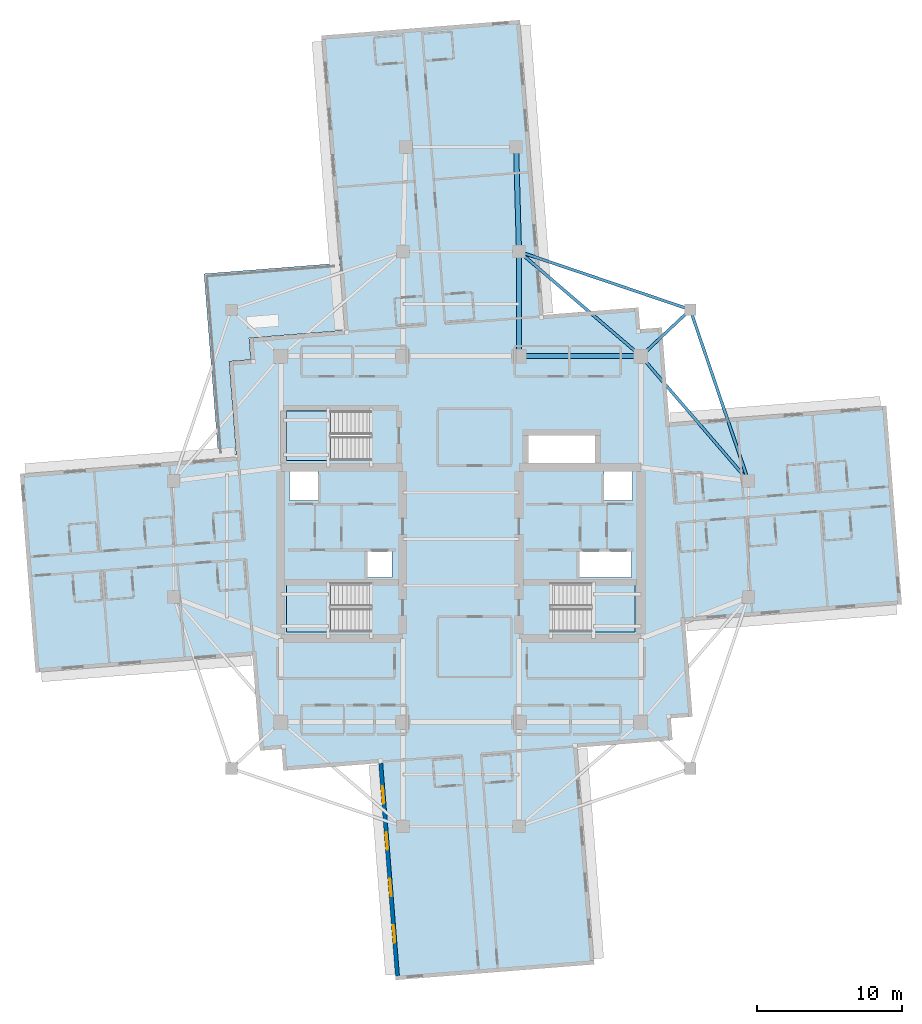
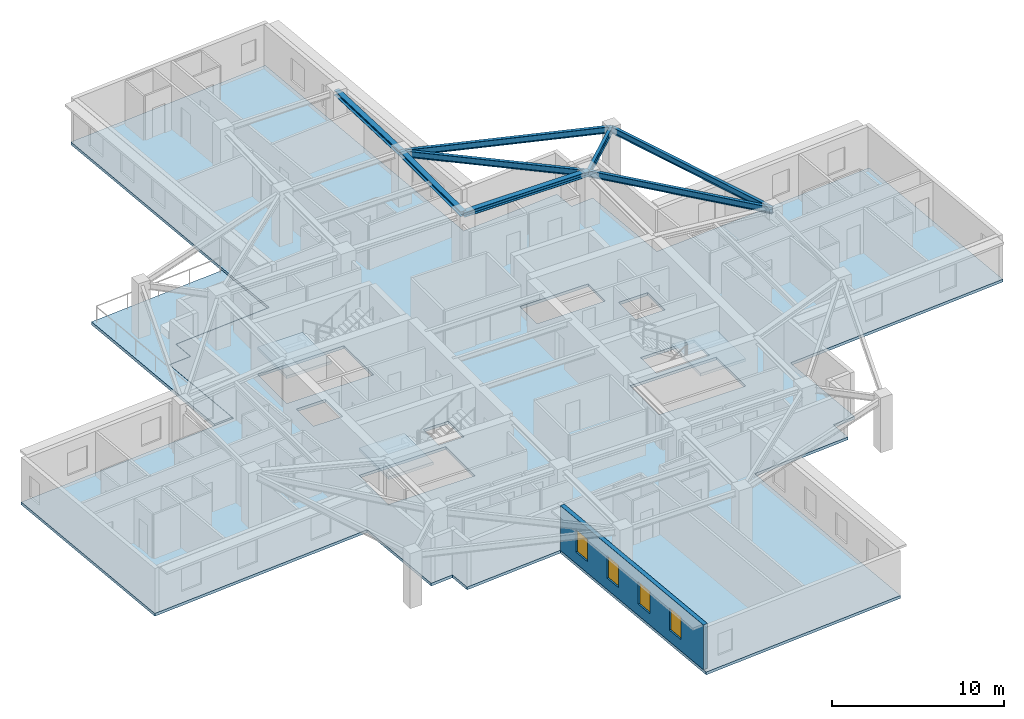
# One storey, part 2 of 13: 8 beams, 5 slabs, 4 windows, 1 wall, 4 openings, 3 elements without a shape of their own.
"""IFC4 building model written with IfcOpenShell, lengths in metres."""

from ifc_helpers import new_model, si_unit, direction, frame, frame_2d, origin, origin_2d, place, context, subcontext, project, spatial, polyline, rectangle, i_section, outline, extrude, material, layer, layer_set, material_profile, profile_set, type_object, element, fill, aggregate, save


model = new_model("IFC4")

# Units and contexts
model_context = context("Model", 3, precision=1e-05, world=origin(), true_north=direction((0.0, 1.0)))
body_context = subcontext(model_context, "Body", "Model", "MODEL_VIEW")
ifc_project = project(units=[si_unit("LENGTHUNIT", "METRE"), si_unit("AREAUNIT", "SQUARE_METRE"), si_unit("VOLUMEUNIT", "CUBIC_METRE"), si_unit("PLANEANGLEUNIT", "RADIAN"), si_unit("MASSUNIT", "GRAM", prefix="KILO")], contexts=[model_context])

# Site, building, storey
site_placement = place(None, origin())
site = spatial("IfcSite", under=ifc_project, at=site_placement, CompositionType="ELEMENT")
building_placement = place(site_placement, origin())
building = spatial("IfcBuilding", under=site, at=building_placement, Name="Qingluan Cross Belvedere", CompositionType="ELEMENT")
storey_placement = place(building_placement, frame((0.0, 0.0, 205.199951171875)))
storey = spatial("IfcBuildingStorey", under=building, at=storey_placement, Name="L51", CompositionType="ELEMENT", Elevation=205.199951171875)

# Beams
ifc_material_1 = material(Name="Steel Q420GJB", Category="steel")
ifc_material_profile_1 = material_profile(ifc_material_1, i_section(OverallWidth=0.199951171875, OverallDepth=0.449951171875, WebThickness=0.009033203125, FlangeThickness=0.013916015625, FilletRadius=0.01611328125, at=origin_2d()), Name="HN450x200x9x14")
ifc_profile_set_1 = profile_set([ifc_material_profile_1], Name="Steel Q420GJB")
beam_type_1 = type_object("IfcBeamType", Name="Steel_Beam_HN450x200x9x14", PredefinedType="JOIST", material=ifc_profile_set_1)
beam_1_placement = place(storey_placement, frame((12.39990234375, 12.60009765625, 3.47509765625), z_axis=(0.728219948308, 0.685343495546, 0.0), x_axis=(-0.685343495546, 0.728219948308, 0.0)))
element("IfcBeam", 1, at=beam_1_placement, inside=storey, type_object=beam_type_1, Name="Corner beam 1 L51-RNE", PredefinedType="JOIST", context=body_context, shape_type="SweptSolid", body=[
    extrude(i_section(OverallWidth=0.199951171875, OverallDepth=0.449951171875, WebThickness=0.009033203125, FlangeThickness=0.013916015625, FilletRadius=0.01611328125, at=origin_2d()), origin(), (0.0, 0.0, 1.0), 4.669189453125),
])
for number, where, z_axis, x_axis, name in (
    (2, (15.800048828125, 15.800048828125, 3.47509765625), (-0.947066283324, 0.321038089628, 0.0), (-0.321038089628, -0.947066283324, 0.0), "Corner beam 2 L51-RNE"),
    (3, (15.800048828125, 15.800048828125, 3.47509765625), (0.321038089628, -0.947066283324, 0.0), (0.947066283324, 0.321038089628, 0.0), "Corner beam 3 L51-RNE"),
):
    element("IfcBeam", number, at=place(storey_placement, frame(where, z_axis=z_axis, x_axis=x_axis)), inside=storey, type_object=beam_type_1, Name=name, PredefinedType="JOIST", context=body_context, shape_type="SweptSolid", body=[
        extrude(i_section(OverallWidth=0.199951171875, OverallDepth=0.449951171875, WebThickness=0.009033203125, FlangeThickness=0.013916015625, FilletRadius=0.01611328125, at=origin_2d()), origin(), (0.0, 0.0, 1.0), 12.45947265625),
    ])
beam_2_placement = place(storey_placement, frame((12.39990234375, 12.60009765625, 3.47509765625), z_axis=(0.652245077546, -0.75800815221, 0.0), x_axis=(0.75800815221, 0.652245077546, 0.0)))
element("IfcBeam", 4, at=beam_2_placement, inside=storey, type_object=beam_type_1, Name="Corner beam 4 L51-RNE", PredefinedType="JOIST", context=body_context, shape_type="SweptSolid", body=[
    extrude(i_section(OverallWidth=0.199951171875, OverallDepth=0.449951171875, WebThickness=0.009033203125, FlangeThickness=0.013916015625, FilletRadius=0.01611328125, at=origin_2d()), origin(), (0.0, 0.0, 1.0), 11.345703125),
])
beam_3_placement = place(storey_placement, frame((12.39990234375, 12.60009765625, 3.47509765625), z_axis=(-0.759255044656, 0.650793190779, 0.0), x_axis=(-0.650793190779, -0.759255044656, 0.0)))
element("IfcBeam", 5, at=beam_3_placement, inside=storey, type_object=beam_type_1, Name="Corner beam 5 L51-RNE", PredefinedType="JOIST", context=body_context, shape_type="SweptSolid", body=[
    extrude(i_section(OverallWidth=0.199951171875, OverallDepth=0.449951171875, WebThickness=0.009033203125, FlangeThickness=0.013916015625, FilletRadius=0.01611328125, at=origin_2d()), origin(), (0.0, 0.0, 1.0), 11.063232421875),
])
ifc_material_2 = material(Name="Steel Q420GJB", Category="steel")
ifc_material_profile_2 = material_profile(ifc_material_2, i_section(OverallWidth=0.35009765625, OverallDepth=0.35009765625, WebThickness=0.011962890625, FlangeThickness=0.01904296875, FilletRadius=0.02001953125, at=origin_2d()), Name="HW350x350x12x19")
ifc_profile_set_2 = profile_set([ifc_material_profile_2], Name="Steel Q420GJB")
beam_type_2 = type_object("IfcBeamType", Name="Steel_Girder_HW350x350x12x19", PredefinedType="USERDEFINED", material=ifc_profile_set_2)
beam_4_placement = place(storey_placement, frame((4.0, 12.60009765625, 3.525146484375), z_axis=(1.0, 0.0, 0.0), x_axis=(0.0, 1.0, 0.0)))
element("IfcBeam", 6, at=beam_4_placement, inside=storey, type_object=beam_type_2, Name="Hub girder L51-HG-N3", ObjectType="GIRDER", PredefinedType="USERDEFINED", context=body_context, shape_type="SweptSolid", body=[
    extrude(i_section(OverallWidth=0.35009765625, OverallDepth=0.35009765625, WebThickness=0.011962890625, FlangeThickness=0.01904296875, FilletRadius=0.02001953125, at=origin_2d()), origin(), (0.0, 0.0, 1.0), 8.39990234375),
])
beam_5_placement = place(storey_placement, frame((4.0, 12.60009765625, 3.525146484375), z_axis=(0.0, 1.0, 0.0), x_axis=(-1.0, 0.0, 0.0)))
element("IfcBeam", 7, at=beam_5_placement, inside=storey, type_object=beam_type_2, Name="Arm N radial girder B L51", ObjectType="GIRDER", PredefinedType="USERDEFINED", context=body_context, shape_type="SweptSolid", body=[
    extrude(i_section(OverallWidth=0.35009765625, OverallDepth=0.35009765625, WebThickness=0.011962890625, FlangeThickness=0.01904296875, FilletRadius=0.02001953125, at=origin_2d()), origin(), (0.0, 0.0, 1.0), 7.199951171875),
])
beam_6_placement = place(storey_placement, frame((4.0, 19.800048828125, 3.525146484375), z_axis=(-0.027760481514, 0.999614603568, 0.0), x_axis=(-0.999614603568, -0.027760481514, 0.0)))
element("IfcBeam", 8, at=beam_6_placement, inside=storey, type_object=beam_type_2, Name="Arm N outer radial girder B L51", ObjectType="GIRDER", PredefinedType="USERDEFINED", context=body_context, shape_type="SweptSolid", body=[
    extrude(i_section(OverallWidth=0.35009765625, OverallDepth=0.35009765625, WebThickness=0.011962890625, FlangeThickness=0.01904296875, FilletRadius=0.02001953125, at=origin_2d()), origin(), (0.0, 0.0, 1.0), 7.20263671875),
])

# Slab
ifc_material_3 = material(Name="Concrete C40", Category="concrete")
ifc_layer_1 = layer(ifc_material_3, 0.199951171875, Name="FloorSlab_200")
ifc_layer_set_1 = layer_set([ifc_layer_1], Name="Concrete C40")
slab_type_1 = type_object("IfcSlabType", Name="FloorSlab_200", PredefinedType="FLOOR", material=ifc_layer_set_1)
slab_1_placement = place(storey_placement, frame((0.0, 0.0, -0.199951171875)))
element("IfcSlab", 9, at=slab_1_placement, inside=storey, type_object=slab_type_1, Name="Structural floor slab L51", PredefinedType="FLOOR", context=body_context, shape_type="SweptSolid", body=[
    extrude(outline(polyline([(9.186279296875, -29.28955078125), (8.010986328125, -14.355712890625), (14.57080078125, -13.839599609375), (14.453125, -12.343994140625), (15.948486328125, -12.226318359375), (15.43212890625, -5.666748046875), (30.365966796875, -4.491455078125), (29.28955078125, 9.186279296875), (14.355712890625, 8.010986328125), (13.839599609375, 14.57080078125), (12.343994140625, 14.453125), (12.226318359375, 15.948486328125), (5.666748046875, 15.43212890625), (4.067626953125, 35.749267578125), (-9.610107421875, 34.6728515625), (-8.010986328125, 14.355712890625), (-14.57080078125, 13.839599609375), (-14.453125, 12.343994140625), (-15.948486328125, 12.226318359375), (-15.43212890625, 5.666748046875), (-30.365966796875, 4.491455078125), (-29.28955078125, -9.186279296875), (-14.355712890625, -8.010986328125), (-13.839599609375, -14.57080078125), (-12.343994140625, -14.453125), (-12.226318359375, -15.948486328125), (-5.666748046875, -15.43212890625), (-4.491455078125, -30.365966796875), (9.186279296875, -29.28955078125)]), holes=[polyline([(-12.0, -3.0), (-6.179931640625, -3.0), (-6.179931640625, -6.39990234375), (-12.0, -6.39990234375), (-12.0, -3.0)]), polyline([(6.179931640625, -3.0), (12.0, -3.0), (12.0, -6.39990234375), (6.179931640625, -6.39990234375), (6.179931640625, -3.0)]), polyline([(-12.0, 8.820068359375), (-6.179931640625, 8.820068359375), (-6.179931640625, 5.419921875), (-12.0, 5.419921875), (-12.0, 8.820068359375)]), polyline([(-11.800048828125, 4.64990234375), (-9.85009765625, 4.64990234375), (-9.85009765625, 2.64990234375), (-11.800048828125, 2.64990234375), (-11.800048828125, 4.64990234375)]), polyline([(9.85009765625, 4.64990234375), (11.800048828125, 4.64990234375), (11.800048828125, 2.64990234375), (9.85009765625, 2.64990234375), (9.85009765625, 4.64990234375)]), polyline([(-6.449951171875, -0.840087890625), (-4.75, -0.840087890625), (-4.75, -2.659912109375), (-6.449951171875, -2.659912109375), (-6.449951171875, -0.840087890625)]), polyline([(8.14990234375, -0.840087890625), (11.75, -0.840087890625), (11.75, -2.659912109375), (8.14990234375, -2.659912109375), (8.14990234375, -0.840087890625)]), polyline([(4.64990234375, 7.14990234375), (9.25, 7.14990234375), (9.25, 5.14990234375), (4.64990234375, 5.14990234375), (4.64990234375, 7.14990234375)])]), origin(), (0.0, 0.0, 1.0), 0.199951171875),
])

# Stair, slab
ifc_material_4 = material(Name="Concrete C40", Category="concrete")
stair_type = type_object("IfcStairType", Name="CoreDoglegStair_1620", PredefinedType="HALF_TURN_STAIR", material=ifc_material_4)
stair_1_placement = place(storey_placement, origin())
stair_1 = element("IfcStair", 10, at=stair_1_placement, inside=storey, type_object=stair_type, Name="L51 ST1", PredefinedType="HALF_TURN_STAIR")
ifc_material_5 = material(Name="Concrete C40", Category="concrete")
ifc_layer_2 = layer(ifc_material_5, 0.179931640625, Name="StairLandingSlab_180")
ifc_layer_set_2 = layer_set([ifc_layer_2], Name="Concrete C40")
slab_type_2 = type_object("IfcSlabType", Name="StairLandingSlab_180", PredefinedType="LANDING", material=ifc_layer_set_2)
slab_2_placement = place(storey_placement, frame((0.0, 0.0, 1.75)))
slab_2 = element("IfcSlab", 11, at=slab_2_placement, type_object=slab_type_2, Name="ST1 landing 1", PredefinedType="LANDING", context=body_context, shape_type="SweptSolid", body=[
    extrude(outline(polyline([(-8.97998046875, -3.0), (-12.0, -3.0), (-12.0, -6.39990234375), (-8.97998046875, -6.39990234375), (-8.97998046875, -3.0)])), origin(), (0.0, 0.0, 1.0), 0.199951171875),
])
aggregate(stair_1, [slab_2])

stair_2_placement = place(storey_placement, origin())
stair_2 = element("IfcStair", 12, at=stair_2_placement, inside=storey, type_object=stair_type, Name="L51 ST2", PredefinedType="HALF_TURN_STAIR")
slab_3_placement = place(storey_placement, frame((0.0, 0.0, 1.75)))
slab_3 = element("IfcSlab", 13, at=slab_3_placement, type_object=slab_type_2, Name="ST2 landing 1", PredefinedType="LANDING", context=body_context, shape_type="SweptSolid", body=[
    extrude(outline(polyline([(8.97998046875, -6.39990234375), (12.0, -6.39990234375), (12.0, -3.0), (8.97998046875, -3.0), (8.97998046875, -6.39990234375)])), origin(), (0.0, 0.0, 1.0), 0.199951171875),
])
aggregate(stair_2, [slab_3])

stair_3_placement = place(storey_placement, origin())
stair_3 = element("IfcStair", 14, at=stair_3_placement, inside=storey, type_object=stair_type, Name="L51 ST3", PredefinedType="HALF_TURN_STAIR")
slab_4_placement = place(storey_placement, frame((0.0, 0.0, 1.75)))
slab_4 = element("IfcSlab", 15, at=slab_4_placement, type_object=slab_type_2, Name="ST3 landing 1", PredefinedType="LANDING", context=body_context, shape_type="SweptSolid", body=[
    extrude(outline(polyline([(-8.97998046875, 8.820068359375), (-12.0, 8.820068359375), (-12.0, 5.419921875), (-8.97998046875, 5.419921875), (-8.97998046875, 8.820068359375)])), origin(), (0.0, 0.0, 1.0), 0.199951171875),
])
aggregate(stair_3, [slab_4])

# Slab
ifc_material_6 = material(Name="Concrete C40", Category="concrete")
ifc_layer_3 = layer(ifc_material_6, 0.219970703125, Name="TerraceSlab_220")
ifc_layer_set_3 = layer_set([ifc_layer_3], Name="Concrete C40")
slab_type_3 = type_object("IfcSlabType", Name="TerraceSlab_220", PredefinedType="FLOOR", material=ifc_layer_set_3)
slab_5_placement = place(storey_placement, frame((0.0, 0.0, -0.219970703125)))
element("IfcSlab", 16, at=slab_5_placement, inside=storey, type_object=slab_type_3, Name="Spiralling winter-garden terrace slab L51", PredefinedType="FLOOR", context=body_context, shape_type="SweptSolid", body=[
    extrude(outline(polyline([(-15.453125, 5.805419921875), (-15.957275390625, 12.231201171875), (-14.4638671875, 12.353271484375), (-14.580810546875, 13.838623046875), (-14.573486328125, 13.84912109375), (-8.1513671875, 14.354736328125), (-8.51611328125, 18.990478515625), (-17.68798828125, 18.2685546875), (-16.69921875, 5.70751953125), (-15.453125, 5.805419921875)])), origin(), (0.0, 0.0, 1.0), 0.219970703125),
])

# Wall, openings, windows
ifc_material_7 = material(Name="Precast concrete C45", Category="concrete")
ifc_layer_4 = layer(ifc_material_7, 0.280029296875, Name="PrecastFacadeWall_280")
ifc_layer_set_4 = layer_set([ifc_layer_4], Name="Precast concrete C45")
wall_type = type_object("IfcWallType", Name="PrecastFacadeWall_280", PredefinedType="STANDARD", material=ifc_layer_set_4)
wall_placement = place(storey_placement, frame((-5.527099609375, -15.421142578125, 0.0), z_axis=(0.0, 0.0, 1.0), x_axis=(0.078456642068, -0.996917526837, 0.0)))
wall = element("IfcWall", 17, at=wall_placement, inside=storey, type_object=wall_type, Name="Facade wall L51-SA", PredefinedType="STANDARD", context=body_context, shape_type="SweptSolid", body=[
    extrude(rectangle(XDim=14.7001953125, YDim=0.280029296875, at=frame_2d((7.35009765625, 0.0))), origin(), (0.0, 0.0, 1.0), 3.179931640625),
])
opening_1_placement = place(wall_placement, frame((1.60009765625, 0.0, 0.800048828125)))
opening_1 = element("IfcOpeningElement", 18, at=opening_1_placement, cuts=wall, Name="Opening W-02", PredefinedType="OPENING", context=body_context, shape_type="SweptSolid", body=[
    extrude(rectangle(XDim=1.199951171875, YDim=1.60009765625, at=frame_2d((0.60009765625, 0.800048828125))), frame((0.0, 0.14990234375, 0.0), z_axis=(0.0, -1.0, 0.0), x_axis=(1.0, 0.0, 0.0)), (0.0, 0.0, 1.0), 0.300048828125),
])
opening_2_placement = place(wall_placement, frame((4.800048828125, 0.0, 0.800048828125)))
opening_2 = element("IfcOpeningElement", 19, at=opening_2_placement, cuts=wall, Name="Opening W-02", PredefinedType="OPENING", context=body_context, shape_type="SweptSolid", body=[
    extrude(rectangle(XDim=1.199951171875, YDim=1.60009765625, at=frame_2d((0.60009765625, 0.800048828125))), frame((0.0, 0.14990234375, 0.0), z_axis=(0.0, -1.0, 0.0), x_axis=(1.0, 0.0, 0.0)), (0.0, 0.0, 1.0), 0.300048828125),
])
opening_3_placement = place(wall_placement, frame((8.0, 0.0, 0.800048828125)))
opening_3 = element("IfcOpeningElement", 20, at=opening_3_placement, cuts=wall, Name="Opening W-02", PredefinedType="OPENING", context=body_context, shape_type="SweptSolid", body=[
    extrude(rectangle(XDim=1.199951171875, YDim=1.60009765625, at=frame_2d((0.60009765625, 0.800048828125))), frame((0.0, 0.14990234375, 0.0), z_axis=(0.0, -1.0, 0.0), x_axis=(1.0, 0.0, 0.0)), (0.0, 0.0, 1.0), 0.300048828125),
])
opening_4_placement = place(wall_placement, frame((11.199951171875, 0.0, 0.800048828125)))
opening_4 = element("IfcOpeningElement", 21, at=opening_4_placement, cuts=wall, Name="Opening W-02", PredefinedType="OPENING", context=body_context, shape_type="SweptSolid", body=[
    extrude(rectangle(XDim=1.199951171875, YDim=1.60009765625, at=frame_2d((0.60009765625, 0.800048828125))), frame((0.0, 0.14990234375, 0.0), z_axis=(0.0, -1.0, 0.0), x_axis=(1.0, 0.0, 0.0)), (0.0, 0.0, 1.0), 0.300048828125),
])
ifc_material_8 = material(Name="Thermally broken triple Low-E glass in aluminium frame", Category="aluminium")
window_type = type_object("IfcWindowType", Name="TriRibbonWin_1200x1600", PartitioningType="SINGLE_PANEL", PredefinedType="WINDOW", material=ifc_material_8)
window_1_placement = place(opening_1_placement, origin())
window_1 = element("IfcWindow", 22, at=window_1_placement, inside=storey, type_object=window_type, Name="Ribbon window L51-SA-1", OverallHeight=1.60009765625, OverallWidth=1.199951171875, PartitioningType="SINGLE_PANEL", PredefinedType="WINDOW", context=body_context, shape_type="SweptSolid", body=[
    extrude(rectangle(XDim=1.199951171875, YDim=1.60009765625, at=frame_2d((0.60009765625, 0.800048828125))), frame((0.0, 0.030029296875, 0.0), z_axis=(0.0, -1.0, 0.0), x_axis=(1.0, 0.0, 0.0)), (0.0, 0.0, 1.0), 0.06005859375),
])
fill(opening_1, window_1)
window_2_placement = place(opening_2_placement, origin())
window_2 = element("IfcWindow", 23, at=window_2_placement, inside=storey, type_object=window_type, Name="Ribbon window L51-SA-2", OverallHeight=1.60009765625, OverallWidth=1.199951171875, PartitioningType="SINGLE_PANEL", PredefinedType="WINDOW", context=body_context, shape_type="SweptSolid", body=[
    extrude(rectangle(XDim=1.199951171875, YDim=1.60009765625, at=frame_2d((0.60009765625, 0.800048828125))), frame((0.0, 0.030029296875, 0.0), z_axis=(0.0, -1.0, 0.0), x_axis=(1.0, 0.0, 0.0)), (0.0, 0.0, 1.0), 0.06005859375),
])
fill(opening_2, window_2)
window_3_placement = place(opening_3_placement, origin())
window_3 = element("IfcWindow", 24, at=window_3_placement, inside=storey, type_object=window_type, Name="Ribbon window L51-SA-3", OverallHeight=1.60009765625, OverallWidth=1.199951171875, PartitioningType="SINGLE_PANEL", PredefinedType="WINDOW", context=body_context, shape_type="SweptSolid", body=[
    extrude(rectangle(XDim=1.199951171875, YDim=1.60009765625, at=frame_2d((0.60009765625, 0.800048828125))), frame((0.0, 0.030029296875, 0.0), z_axis=(0.0, -1.0, 0.0), x_axis=(1.0, 0.0, 0.0)), (0.0, 0.0, 1.0), 0.06005859375),
])
fill(opening_3, window_3)
window_4_placement = place(opening_4_placement, origin())
window_4 = element("IfcWindow", 25, at=window_4_placement, inside=storey, type_object=window_type, Name="Ribbon window L51-SA-4", OverallHeight=1.60009765625, OverallWidth=1.199951171875, PartitioningType="SINGLE_PANEL", PredefinedType="WINDOW", context=body_context, shape_type="SweptSolid", body=[
    extrude(rectangle(XDim=1.199951171875, YDim=1.60009765625, at=frame_2d((0.60009765625, 0.800048828125))), frame((0.0, 0.030029296875, 0.0), z_axis=(0.0, -1.0, 0.0), x_axis=(1.0, 0.0, 0.0)), (0.0, 0.0, 1.0), 0.06005859375),
])
fill(opening_4, window_4)

save(model, "model.ifc")
